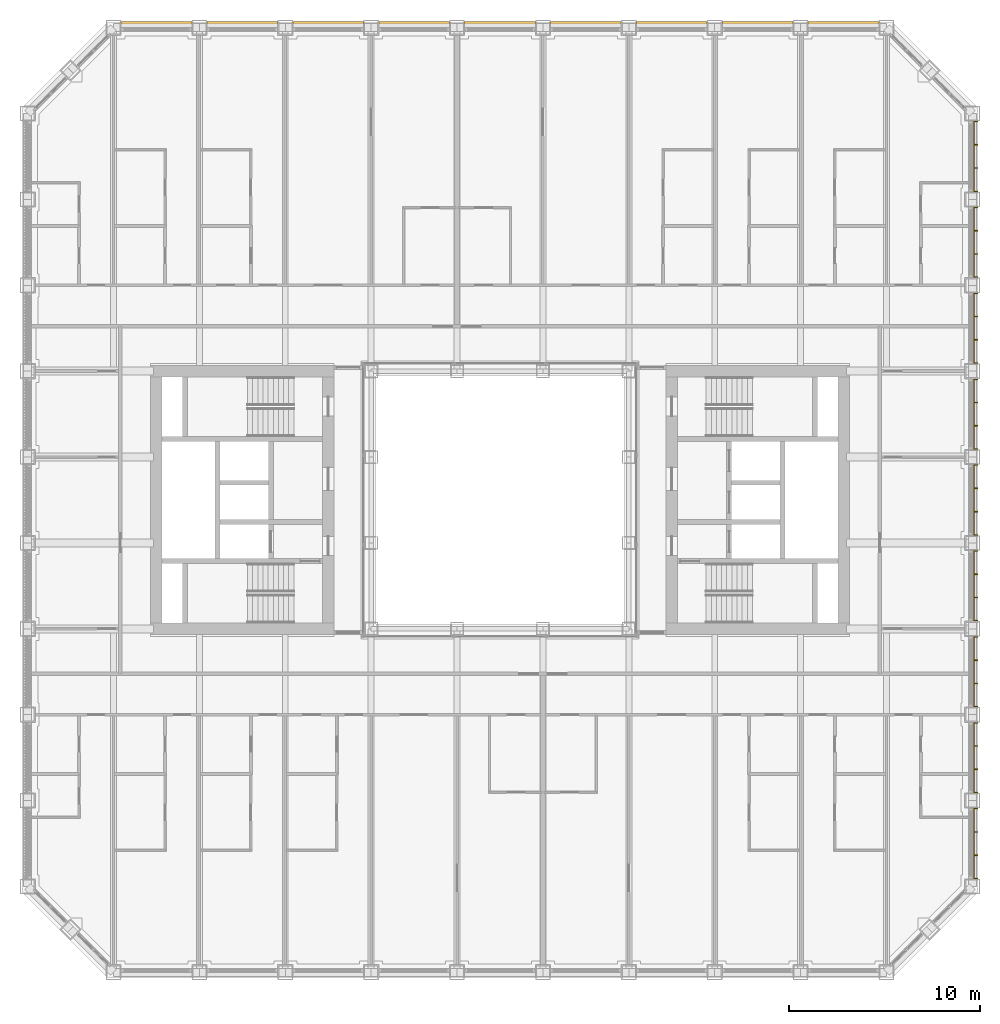
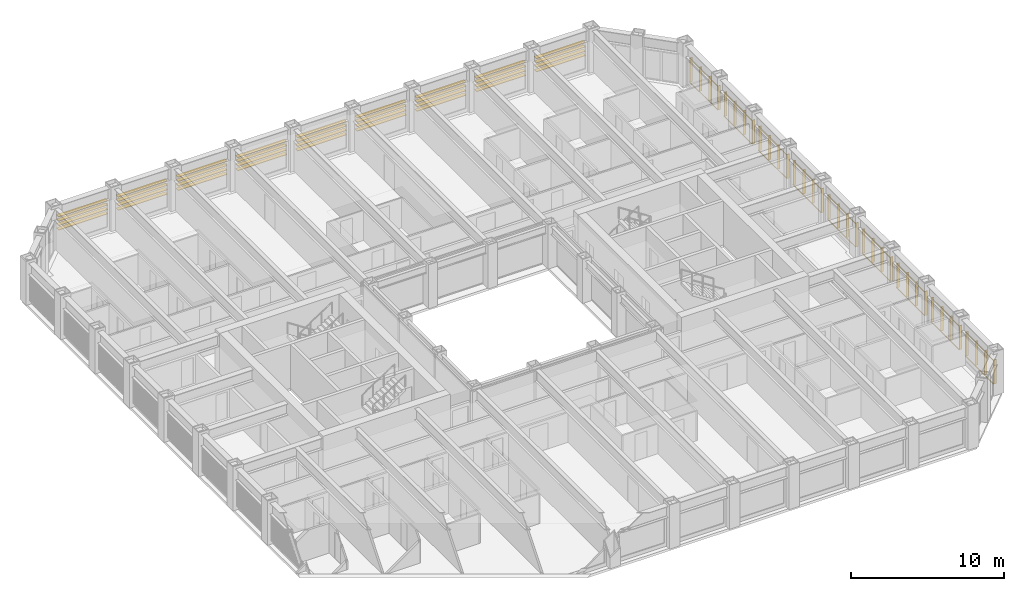
# One storey, part 21 of 21: 2 shading devices.
"""IFC4 building model written with IfcOpenShell, lengths in metres."""

from ifc_helpers import new_model, si_unit, direction, frame, origin, origin_2d, place, context, subcontext, project, spatial, rectangle, extrude, material, type_object, element, save


model = new_model("IFC4")

# Units and contexts
model_context = context("Model", 3, precision=1e-05, world=origin(), true_north=direction((0.0, 1.0)))
body_context = subcontext(model_context, "Body", "Model", "MODEL_VIEW")
ifc_project = project(units=[si_unit("LENGTHUNIT", "METRE"), si_unit("AREAUNIT", "SQUARE_METRE"), si_unit("VOLUMEUNIT", "CUBIC_METRE"), si_unit("PLANEANGLEUNIT", "RADIAN"), si_unit("MASSUNIT", "GRAM", prefix="KILO")], contexts=[model_context])

# Site, building, storey
site_placement = place(None, origin())
site = spatial("IfcSite", under=ifc_project, at=site_placement, CompositionType="ELEMENT")
building_placement = place(site_placement, origin())
building = spatial("IfcBuilding", under=site, at=building_placement, Name="Msasa Ring Tower", CompositionType="ELEMENT")
storey_placement = place(building_placement, frame((0.0, 0.0, 82.5)))
storey = spatial("IfcBuildingStorey", under=building, at=storey_placement, Name="L21", CompositionType="ELEMENT", Elevation=82.5)

# Shading devices
ifc_material_1 = material(Name="Extruded terracotta on aluminium carriers", Category="masonry")
shading_device_type_1 = type_object("IfcShadingDeviceType", Name="BS2 TERRACOTTA FIN SCREEN 40x200 AT 1350", PredefinedType="USERDEFINED", material=ifc_material_1)
shading_device_1_placement = place(storey_placement, origin())
element("IfcShadingDevice", 1, at=shading_device_1_placement, inside=storey, type_object=shading_device_type_1, Name="Terracotta fin screen E L21", ObjectType="BAGUETTE", PredefinedType="USERDEFINED", context=body_context, shape_type="SweptSolid", body=[
    extrude(rectangle(XDim=0.06005859375, YDim=0.0400390625, at=origin_2d()), frame((24.830078125, -19.85009765625, 0.330078125), z_axis=(0.0, 1.0, 0.0), x_axis=(0.0, 0.0, 1.0)), (0.0, 0.0, 1.0), 3.699951171875),
    extrude(rectangle(XDim=0.06005859375, YDim=0.0400390625, at=origin_2d()), frame((24.830078125, -19.85009765625, 2.198974609375), z_axis=(0.0, 1.0, 0.0), x_axis=(0.0, 0.0, 1.0)), (0.0, 0.0, 1.0), 3.699951171875),
    extrude(rectangle(XDim=0.0400390625, YDim=0.199951171875, at=origin_2d()), frame((24.945068359375, -19.830078125, 0.300048828125), z_axis=(0.0, 0.0, 1.0), x_axis=(0.0, 1.0, 0.0)), (0.0, 0.0, 1.0), 1.928955078125),
    extrude(rectangle(XDim=0.0400390625, YDim=0.199951171875, at=origin_2d()), frame((24.945068359375, -18.610107421875, 0.300048828125), z_axis=(0.0, 0.0, 1.0), x_axis=(0.0, 1.0, 0.0)), (0.0, 0.0, 1.0), 1.928955078125),
    extrude(rectangle(XDim=0.0400390625, YDim=0.199951171875, at=origin_2d()), frame((24.945068359375, -17.389892578125, 0.300048828125), z_axis=(0.0, 0.0, 1.0), x_axis=(0.0, 1.0, 0.0)), (0.0, 0.0, 1.0), 1.928955078125),
    extrude(rectangle(XDim=0.0400390625, YDim=0.199951171875, at=origin_2d()), frame((24.945068359375, -16.169921875, 0.300048828125), z_axis=(0.0, 0.0, 1.0), x_axis=(0.0, 1.0, 0.0)), (0.0, 0.0, 1.0), 1.928955078125),
    extrude(rectangle(XDim=0.06005859375, YDim=0.0400390625, at=origin_2d()), frame((24.830078125, -15.35009765625, 0.330078125), z_axis=(0.0, 1.0, 0.0), x_axis=(0.0, 0.0, 1.0)), (0.0, 0.0, 1.0), 3.699951171875),
    extrude(rectangle(XDim=0.06005859375, YDim=0.0400390625, at=origin_2d()), frame((24.830078125, -15.35009765625, 2.198974609375), z_axis=(0.0, 1.0, 0.0), x_axis=(0.0, 0.0, 1.0)), (0.0, 0.0, 1.0), 3.699951171875),
    extrude(rectangle(XDim=0.0400390625, YDim=0.199951171875, at=origin_2d()), frame((24.945068359375, -15.330078125, 0.300048828125), z_axis=(0.0, 0.0, 1.0), x_axis=(0.0, 1.0, 0.0)), (0.0, 0.0, 1.0), 1.928955078125),
    extrude(rectangle(XDim=0.0400390625, YDim=0.199951171875, at=origin_2d()), frame((24.945068359375, -14.110107421875, 0.300048828125), z_axis=(0.0, 0.0, 1.0), x_axis=(0.0, 1.0, 0.0)), (0.0, 0.0, 1.0), 1.928955078125),
    extrude(rectangle(XDim=0.0400390625, YDim=0.199951171875, at=origin_2d()), frame((24.945068359375, -12.889892578125, 0.300048828125), z_axis=(0.0, 0.0, 1.0), x_axis=(0.0, 1.0, 0.0)), (0.0, 0.0, 1.0), 1.928955078125),
    extrude(rectangle(XDim=0.0400390625, YDim=0.199951171875, at=origin_2d()), frame((24.945068359375, -11.669921875, 0.300048828125), z_axis=(0.0, 0.0, 1.0), x_axis=(0.0, 1.0, 0.0)), (0.0, 0.0, 1.0), 1.928955078125),
    extrude(rectangle(XDim=0.06005859375, YDim=0.0400390625, at=origin_2d()), frame((24.830078125, -10.85009765625, 0.330078125), z_axis=(0.0, 1.0, 0.0), x_axis=(0.0, 0.0, 1.0)), (0.0, 0.0, 1.0), 3.699951171875),
    extrude(rectangle(XDim=0.06005859375, YDim=0.0400390625, at=origin_2d()), frame((24.830078125, -10.85009765625, 2.198974609375), z_axis=(0.0, 1.0, 0.0), x_axis=(0.0, 0.0, 1.0)), (0.0, 0.0, 1.0), 3.699951171875),
    extrude(rectangle(XDim=0.0400390625, YDim=0.199951171875, at=origin_2d()), frame((24.945068359375, -10.830078125, 0.300048828125), z_axis=(0.0, 0.0, 1.0), x_axis=(0.0, 1.0, 0.0)), (0.0, 0.0, 1.0), 1.928955078125),
    extrude(rectangle(XDim=0.0400390625, YDim=0.199951171875, at=origin_2d()), frame((24.945068359375, -9.610107421875, 0.300048828125), z_axis=(0.0, 0.0, 1.0), x_axis=(0.0, 1.0, 0.0)), (0.0, 0.0, 1.0), 1.928955078125),
    extrude(rectangle(XDim=0.0400390625, YDim=0.199951171875, at=origin_2d()), frame((24.945068359375, -8.389892578125, 0.300048828125), z_axis=(0.0, 0.0, 1.0), x_axis=(0.0, 1.0, 0.0)), (0.0, 0.0, 1.0), 1.928955078125),
    extrude(rectangle(XDim=0.0400390625, YDim=0.199951171875, at=origin_2d()), frame((24.945068359375, -7.169921875, 0.300048828125), z_axis=(0.0, 0.0, 1.0), x_axis=(0.0, 1.0, 0.0)), (0.0, 0.0, 1.0), 1.928955078125),
    extrude(rectangle(XDim=0.06005859375, YDim=0.0400390625, at=origin_2d()), frame((24.830078125, -6.35009765625, 0.330078125), z_axis=(0.0, 1.0, 0.0), x_axis=(0.0, 0.0, 1.0)), (0.0, 0.0, 1.0), 3.699951171875),
    extrude(rectangle(XDim=0.06005859375, YDim=0.0400390625, at=origin_2d()), frame((24.830078125, -6.35009765625, 2.198974609375), z_axis=(0.0, 1.0, 0.0), x_axis=(0.0, 0.0, 1.0)), (0.0, 0.0, 1.0), 3.699951171875),
    extrude(rectangle(XDim=0.0400390625, YDim=0.199951171875, at=origin_2d()), frame((24.945068359375, -6.330078125, 0.300048828125), z_axis=(0.0, 0.0, 1.0), x_axis=(0.0, 1.0, 0.0)), (0.0, 0.0, 1.0), 1.928955078125),
    extrude(rectangle(XDim=0.0400390625, YDim=0.199951171875, at=origin_2d()), frame((24.945068359375, -5.110107421875, 0.300048828125), z_axis=(0.0, 0.0, 1.0), x_axis=(0.0, 1.0, 0.0)), (0.0, 0.0, 1.0), 1.928955078125),
    extrude(rectangle(XDim=0.0400390625, YDim=0.199951171875, at=origin_2d()), frame((24.945068359375, -3.889892578125, 0.300048828125), z_axis=(0.0, 0.0, 1.0), x_axis=(0.0, 1.0, 0.0)), (0.0, 0.0, 1.0), 1.928955078125),
    extrude(rectangle(XDim=0.0400390625, YDim=0.199951171875, at=origin_2d()), frame((24.945068359375, -2.669921875, 0.300048828125), z_axis=(0.0, 0.0, 1.0), x_axis=(0.0, 1.0, 0.0)), (0.0, 0.0, 1.0), 1.928955078125),
    extrude(rectangle(XDim=0.06005859375, YDim=0.0400390625, at=origin_2d()), frame((24.830078125, -1.85009765625, 0.330078125), z_axis=(0.0, 1.0, 0.0), x_axis=(0.0, 0.0, 1.0)), (0.0, 0.0, 1.0), 3.699951171875),
    extrude(rectangle(XDim=0.06005859375, YDim=0.0400390625, at=origin_2d()), frame((24.830078125, -1.85009765625, 2.198974609375), z_axis=(0.0, 1.0, 0.0), x_axis=(0.0, 0.0, 1.0)), (0.0, 0.0, 1.0), 3.699951171875),
    extrude(rectangle(XDim=0.0400390625, YDim=0.199951171875, at=origin_2d()), frame((24.945068359375, -1.830078125, 0.300048828125), z_axis=(0.0, 0.0, 1.0), x_axis=(0.0, 1.0, 0.0)), (0.0, 0.0, 1.0), 1.928955078125),
    extrude(rectangle(XDim=0.0400390625, YDim=0.199951171875, at=origin_2d()), frame((24.945068359375, -0.610107421875, 0.300048828125), z_axis=(0.0, 0.0, 1.0), x_axis=(0.0, 1.0, 0.0)), (0.0, 0.0, 1.0), 1.928955078125),
    extrude(rectangle(XDim=0.0400390625, YDim=0.199951171875, at=origin_2d()), frame((24.945068359375, 0.610107421875, 0.300048828125), z_axis=(0.0, 0.0, 1.0), x_axis=(0.0, 1.0, 0.0)), (0.0, 0.0, 1.0), 1.928955078125),
    extrude(rectangle(XDim=0.0400390625, YDim=0.199951171875, at=origin_2d()), frame((24.945068359375, 1.830078125, 0.300048828125), z_axis=(0.0, 0.0, 1.0), x_axis=(0.0, 1.0, 0.0)), (0.0, 0.0, 1.0), 1.928955078125),
    extrude(rectangle(XDim=0.06005859375, YDim=0.0400390625, at=origin_2d()), frame((24.830078125, 2.64990234375, 0.330078125), z_axis=(0.0, 1.0, 0.0), x_axis=(0.0, 0.0, 1.0)), (0.0, 0.0, 1.0), 3.699951171875),
    extrude(rectangle(XDim=0.06005859375, YDim=0.0400390625, at=origin_2d()), frame((24.830078125, 2.64990234375, 2.198974609375), z_axis=(0.0, 1.0, 0.0), x_axis=(0.0, 0.0, 1.0)), (0.0, 0.0, 1.0), 3.699951171875),
    extrude(rectangle(XDim=0.0400390625, YDim=0.199951171875, at=origin_2d()), frame((24.945068359375, 2.669921875, 0.300048828125), z_axis=(0.0, 0.0, 1.0), x_axis=(0.0, 1.0, 0.0)), (0.0, 0.0, 1.0), 1.928955078125),
    extrude(rectangle(XDim=0.0400390625, YDim=0.199951171875, at=origin_2d()), frame((24.945068359375, 3.889892578125, 0.300048828125), z_axis=(0.0, 0.0, 1.0), x_axis=(0.0, 1.0, 0.0)), (0.0, 0.0, 1.0), 1.928955078125),
    extrude(rectangle(XDim=0.0400390625, YDim=0.199951171875, at=origin_2d()), frame((24.945068359375, 5.110107421875, 0.300048828125), z_axis=(0.0, 0.0, 1.0), x_axis=(0.0, 1.0, 0.0)), (0.0, 0.0, 1.0), 1.928955078125),
    extrude(rectangle(XDim=0.0400390625, YDim=0.199951171875, at=origin_2d()), frame((24.945068359375, 6.330078125, 0.300048828125), z_axis=(0.0, 0.0, 1.0), x_axis=(0.0, 1.0, 0.0)), (0.0, 0.0, 1.0), 1.928955078125),
    extrude(rectangle(XDim=0.06005859375, YDim=0.0400390625, at=origin_2d()), frame((24.830078125, 7.14990234375, 0.330078125), z_axis=(0.0, 1.0, 0.0), x_axis=(0.0, 0.0, 1.0)), (0.0, 0.0, 1.0), 3.699951171875),
    extrude(rectangle(XDim=0.06005859375, YDim=0.0400390625, at=origin_2d()), frame((24.830078125, 7.14990234375, 2.198974609375), z_axis=(0.0, 1.0, 0.0), x_axis=(0.0, 0.0, 1.0)), (0.0, 0.0, 1.0), 3.699951171875),
    extrude(rectangle(XDim=0.0400390625, YDim=0.199951171875, at=origin_2d()), frame((24.945068359375, 7.169921875, 0.300048828125), z_axis=(0.0, 0.0, 1.0), x_axis=(0.0, 1.0, 0.0)), (0.0, 0.0, 1.0), 1.928955078125),
    extrude(rectangle(XDim=0.0400390625, YDim=0.199951171875, at=origin_2d()), frame((24.945068359375, 8.389892578125, 0.300048828125), z_axis=(0.0, 0.0, 1.0), x_axis=(0.0, 1.0, 0.0)), (0.0, 0.0, 1.0), 1.928955078125),
    extrude(rectangle(XDim=0.0400390625, YDim=0.199951171875, at=origin_2d()), frame((24.945068359375, 9.610107421875, 0.300048828125), z_axis=(0.0, 0.0, 1.0), x_axis=(0.0, 1.0, 0.0)), (0.0, 0.0, 1.0), 1.928955078125),
    extrude(rectangle(XDim=0.0400390625, YDim=0.199951171875, at=origin_2d()), frame((24.945068359375, 10.830078125, 0.300048828125), z_axis=(0.0, 0.0, 1.0), x_axis=(0.0, 1.0, 0.0)), (0.0, 0.0, 1.0), 1.928955078125),
    extrude(rectangle(XDim=0.06005859375, YDim=0.0400390625, at=origin_2d()), frame((24.830078125, 11.64990234375, 0.330078125), z_axis=(0.0, 1.0, 0.0), x_axis=(0.0, 0.0, 1.0)), (0.0, 0.0, 1.0), 3.699951171875),
    extrude(rectangle(XDim=0.06005859375, YDim=0.0400390625, at=origin_2d()), frame((24.830078125, 11.64990234375, 2.198974609375), z_axis=(0.0, 1.0, 0.0), x_axis=(0.0, 0.0, 1.0)), (0.0, 0.0, 1.0), 3.699951171875),
    extrude(rectangle(XDim=0.0400390625, YDim=0.199951171875, at=origin_2d()), frame((24.945068359375, 11.669921875, 0.300048828125), z_axis=(0.0, 0.0, 1.0), x_axis=(0.0, 1.0, 0.0)), (0.0, 0.0, 1.0), 1.928955078125),
    extrude(rectangle(XDim=0.0400390625, YDim=0.199951171875, at=origin_2d()), frame((24.945068359375, 12.889892578125, 0.300048828125), z_axis=(0.0, 0.0, 1.0), x_axis=(0.0, 1.0, 0.0)), (0.0, 0.0, 1.0), 1.928955078125),
    extrude(rectangle(XDim=0.0400390625, YDim=0.199951171875, at=origin_2d()), frame((24.945068359375, 14.110107421875, 0.300048828125), z_axis=(0.0, 0.0, 1.0), x_axis=(0.0, 1.0, 0.0)), (0.0, 0.0, 1.0), 1.928955078125),
    extrude(rectangle(XDim=0.0400390625, YDim=0.199951171875, at=origin_2d()), frame((24.945068359375, 15.330078125, 0.300048828125), z_axis=(0.0, 0.0, 1.0), x_axis=(0.0, 1.0, 0.0)), (0.0, 0.0, 1.0), 1.928955078125),
    extrude(rectangle(XDim=0.06005859375, YDim=0.0400390625, at=origin_2d()), frame((24.830078125, 16.14990234375, 0.330078125), z_axis=(0.0, 1.0, 0.0), x_axis=(0.0, 0.0, 1.0)), (0.0, 0.0, 1.0), 3.699951171875),
    extrude(rectangle(XDim=0.06005859375, YDim=0.0400390625, at=origin_2d()), frame((24.830078125, 16.14990234375, 2.198974609375), z_axis=(0.0, 1.0, 0.0), x_axis=(0.0, 0.0, 1.0)), (0.0, 0.0, 1.0), 3.699951171875),
    extrude(rectangle(XDim=0.0400390625, YDim=0.199951171875, at=origin_2d()), frame((24.945068359375, 16.169921875, 0.300048828125), z_axis=(0.0, 0.0, 1.0), x_axis=(0.0, 1.0, 0.0)), (0.0, 0.0, 1.0), 1.928955078125),
    extrude(rectangle(XDim=0.0400390625, YDim=0.199951171875, at=origin_2d()), frame((24.945068359375, 17.389892578125, 0.300048828125), z_axis=(0.0, 0.0, 1.0), x_axis=(0.0, 1.0, 0.0)), (0.0, 0.0, 1.0), 1.928955078125),
    extrude(rectangle(XDim=0.0400390625, YDim=0.199951171875, at=origin_2d()), frame((24.945068359375, 18.610107421875, 0.300048828125), z_axis=(0.0, 0.0, 1.0), x_axis=(0.0, 1.0, 0.0)), (0.0, 0.0, 1.0), 1.928955078125),
    extrude(rectangle(XDim=0.0400390625, YDim=0.199951171875, at=origin_2d()), frame((24.945068359375, 19.830078125, 0.300048828125), z_axis=(0.0, 0.0, 1.0), x_axis=(0.0, 1.0, 0.0)), (0.0, 0.0, 1.0), 1.928955078125),
])
ifc_material_2 = material(Name="Extruded terracotta blades", Category="masonry")
shading_device_type_2 = type_object("IfcShadingDeviceType", Name="SS1 TERRACOTTA SUNSHADE 4 BLADES 300x40 AT 350", PredefinedType="USERDEFINED", material=ifc_material_2)
shading_device_2_placement = place(storey_placement, origin())
element("IfcShadingDevice", 2, at=shading_device_2_placement, inside=storey, type_object=shading_device_type_2, Name="Terracotta sunshade N L21", ObjectType="SUNSHADE", PredefinedType="USERDEFINED", context=body_context, shape_type="SweptSolid", body=[
    extrude(rectangle(XDim=0.0400390625, YDim=0.300048828125, at=origin_2d()), frame((-19.85009765625, 24.929931640625, 2.208984375), z_axis=(1.0, 0.0, 0.0), x_axis=(0.0, 0.0, 1.0)), (0.0, 0.0, 1.0), 3.699951171875),
    extrude(rectangle(XDim=0.0400390625, YDim=0.300048828125, at=origin_2d()), frame((-19.85009765625, 24.929931640625, 1.85888671875), z_axis=(1.0, 0.0, 0.0), x_axis=(0.0, 0.0, 1.0)), (0.0, 0.0, 1.0), 3.699951171875),
    extrude(rectangle(XDim=0.0400390625, YDim=0.300048828125, at=origin_2d()), frame((-19.85009765625, 24.929931640625, 1.509033203125), z_axis=(1.0, 0.0, 0.0), x_axis=(0.0, 0.0, 1.0)), (0.0, 0.0, 1.0), 3.699951171875),
    extrude(rectangle(XDim=0.0400390625, YDim=0.300048828125, at=origin_2d()), frame((-19.85009765625, 24.929931640625, 1.158935546875), z_axis=(1.0, 0.0, 0.0), x_axis=(0.0, 0.0, 1.0)), (0.0, 0.0, 1.0), 3.699951171875),
    extrude(rectangle(XDim=0.0400390625, YDim=0.300048828125, at=origin_2d()), frame((-15.35009765625, 24.929931640625, 2.208984375), z_axis=(1.0, 0.0, 0.0), x_axis=(0.0, 0.0, 1.0)), (0.0, 0.0, 1.0), 3.699951171875),
    extrude(rectangle(XDim=0.0400390625, YDim=0.300048828125, at=origin_2d()), frame((-15.35009765625, 24.929931640625, 1.85888671875), z_axis=(1.0, 0.0, 0.0), x_axis=(0.0, 0.0, 1.0)), (0.0, 0.0, 1.0), 3.699951171875),
    extrude(rectangle(XDim=0.0400390625, YDim=0.300048828125, at=origin_2d()), frame((-15.35009765625, 24.929931640625, 1.509033203125), z_axis=(1.0, 0.0, 0.0), x_axis=(0.0, 0.0, 1.0)), (0.0, 0.0, 1.0), 3.699951171875),
    extrude(rectangle(XDim=0.0400390625, YDim=0.300048828125, at=origin_2d()), frame((-15.35009765625, 24.929931640625, 1.158935546875), z_axis=(1.0, 0.0, 0.0), x_axis=(0.0, 0.0, 1.0)), (0.0, 0.0, 1.0), 3.699951171875),
    extrude(rectangle(XDim=0.0400390625, YDim=0.300048828125, at=origin_2d()), frame((-10.85009765625, 24.929931640625, 2.208984375), z_axis=(1.0, 0.0, 0.0), x_axis=(0.0, 0.0, 1.0)), (0.0, 0.0, 1.0), 3.699951171875),
    extrude(rectangle(XDim=0.0400390625, YDim=0.300048828125, at=origin_2d()), frame((-10.85009765625, 24.929931640625, 1.85888671875), z_axis=(1.0, 0.0, 0.0), x_axis=(0.0, 0.0, 1.0)), (0.0, 0.0, 1.0), 3.699951171875),
    extrude(rectangle(XDim=0.0400390625, YDim=0.300048828125, at=origin_2d()), frame((-10.85009765625, 24.929931640625, 1.509033203125), z_axis=(1.0, 0.0, 0.0), x_axis=(0.0, 0.0, 1.0)), (0.0, 0.0, 1.0), 3.699951171875),
    extrude(rectangle(XDim=0.0400390625, YDim=0.300048828125, at=origin_2d()), frame((-10.85009765625, 24.929931640625, 1.158935546875), z_axis=(1.0, 0.0, 0.0), x_axis=(0.0, 0.0, 1.0)), (0.0, 0.0, 1.0), 3.699951171875),
    extrude(rectangle(XDim=0.0400390625, YDim=0.300048828125, at=origin_2d()), frame((-6.35009765625, 24.929931640625, 2.208984375), z_axis=(1.0, 0.0, 0.0), x_axis=(0.0, 0.0, 1.0)), (0.0, 0.0, 1.0), 3.699951171875),
    extrude(rectangle(XDim=0.0400390625, YDim=0.300048828125, at=origin_2d()), frame((-6.35009765625, 24.929931640625, 1.85888671875), z_axis=(1.0, 0.0, 0.0), x_axis=(0.0, 0.0, 1.0)), (0.0, 0.0, 1.0), 3.699951171875),
    extrude(rectangle(XDim=0.0400390625, YDim=0.300048828125, at=origin_2d()), frame((-6.35009765625, 24.929931640625, 1.509033203125), z_axis=(1.0, 0.0, 0.0), x_axis=(0.0, 0.0, 1.0)), (0.0, 0.0, 1.0), 3.699951171875),
    extrude(rectangle(XDim=0.0400390625, YDim=0.300048828125, at=origin_2d()), frame((-6.35009765625, 24.929931640625, 1.158935546875), z_axis=(1.0, 0.0, 0.0), x_axis=(0.0, 0.0, 1.0)), (0.0, 0.0, 1.0), 3.699951171875),
    extrude(rectangle(XDim=0.0400390625, YDim=0.300048828125, at=origin_2d()), frame((-1.85009765625, 24.929931640625, 2.208984375), z_axis=(1.0, 0.0, 0.0), x_axis=(0.0, 0.0, 1.0)), (0.0, 0.0, 1.0), 3.699951171875),
    extrude(rectangle(XDim=0.0400390625, YDim=0.300048828125, at=origin_2d()), frame((-1.85009765625, 24.929931640625, 1.85888671875), z_axis=(1.0, 0.0, 0.0), x_axis=(0.0, 0.0, 1.0)), (0.0, 0.0, 1.0), 3.699951171875),
    extrude(rectangle(XDim=0.0400390625, YDim=0.300048828125, at=origin_2d()), frame((-1.85009765625, 24.929931640625, 1.509033203125), z_axis=(1.0, 0.0, 0.0), x_axis=(0.0, 0.0, 1.0)), (0.0, 0.0, 1.0), 3.699951171875),
    extrude(rectangle(XDim=0.0400390625, YDim=0.300048828125, at=origin_2d()), frame((-1.85009765625, 24.929931640625, 1.158935546875), z_axis=(1.0, 0.0, 0.0), x_axis=(0.0, 0.0, 1.0)), (0.0, 0.0, 1.0), 3.699951171875),
    extrude(rectangle(XDim=0.0400390625, YDim=0.300048828125, at=origin_2d()), frame((2.64990234375, 24.929931640625, 2.208984375), z_axis=(1.0, 0.0, 0.0), x_axis=(0.0, 0.0, 1.0)), (0.0, 0.0, 1.0), 3.699951171875),
    extrude(rectangle(XDim=0.0400390625, YDim=0.300048828125, at=origin_2d()), frame((2.64990234375, 24.929931640625, 1.85888671875), z_axis=(1.0, 0.0, 0.0), x_axis=(0.0, 0.0, 1.0)), (0.0, 0.0, 1.0), 3.699951171875),
    extrude(rectangle(XDim=0.0400390625, YDim=0.300048828125, at=origin_2d()), frame((2.64990234375, 24.929931640625, 1.509033203125), z_axis=(1.0, 0.0, 0.0), x_axis=(0.0, 0.0, 1.0)), (0.0, 0.0, 1.0), 3.699951171875),
    extrude(rectangle(XDim=0.0400390625, YDim=0.300048828125, at=origin_2d()), frame((2.64990234375, 24.929931640625, 1.158935546875), z_axis=(1.0, 0.0, 0.0), x_axis=(0.0, 0.0, 1.0)), (0.0, 0.0, 1.0), 3.699951171875),
    extrude(rectangle(XDim=0.0400390625, YDim=0.300048828125, at=origin_2d()), frame((7.14990234375, 24.929931640625, 2.208984375), z_axis=(1.0, 0.0, 0.0), x_axis=(0.0, 0.0, 1.0)), (0.0, 0.0, 1.0), 3.699951171875),
    extrude(rectangle(XDim=0.0400390625, YDim=0.300048828125, at=origin_2d()), frame((7.14990234375, 24.929931640625, 1.85888671875), z_axis=(1.0, 0.0, 0.0), x_axis=(0.0, 0.0, 1.0)), (0.0, 0.0, 1.0), 3.699951171875),
    extrude(rectangle(XDim=0.0400390625, YDim=0.300048828125, at=origin_2d()), frame((7.14990234375, 24.929931640625, 1.509033203125), z_axis=(1.0, 0.0, 0.0), x_axis=(0.0, 0.0, 1.0)), (0.0, 0.0, 1.0), 3.699951171875),
    extrude(rectangle(XDim=0.0400390625, YDim=0.300048828125, at=origin_2d()), frame((7.14990234375, 24.929931640625, 1.158935546875), z_axis=(1.0, 0.0, 0.0), x_axis=(0.0, 0.0, 1.0)), (0.0, 0.0, 1.0), 3.699951171875),
    extrude(rectangle(XDim=0.0400390625, YDim=0.300048828125, at=origin_2d()), frame((11.64990234375, 24.929931640625, 2.208984375), z_axis=(1.0, 0.0, 0.0), x_axis=(0.0, 0.0, 1.0)), (0.0, 0.0, 1.0), 3.699951171875),
    extrude(rectangle(XDim=0.0400390625, YDim=0.300048828125, at=origin_2d()), frame((11.64990234375, 24.929931640625, 1.85888671875), z_axis=(1.0, 0.0, 0.0), x_axis=(0.0, 0.0, 1.0)), (0.0, 0.0, 1.0), 3.699951171875),
    extrude(rectangle(XDim=0.0400390625, YDim=0.300048828125, at=origin_2d()), frame((11.64990234375, 24.929931640625, 1.509033203125), z_axis=(1.0, 0.0, 0.0), x_axis=(0.0, 0.0, 1.0)), (0.0, 0.0, 1.0), 3.699951171875),
    extrude(rectangle(XDim=0.0400390625, YDim=0.300048828125, at=origin_2d()), frame((11.64990234375, 24.929931640625, 1.158935546875), z_axis=(1.0, 0.0, 0.0), x_axis=(0.0, 0.0, 1.0)), (0.0, 0.0, 1.0), 3.699951171875),
    extrude(rectangle(XDim=0.0400390625, YDim=0.300048828125, at=origin_2d()), frame((16.14990234375, 24.929931640625, 2.208984375), z_axis=(1.0, 0.0, 0.0), x_axis=(0.0, 0.0, 1.0)), (0.0, 0.0, 1.0), 3.699951171875),
    extrude(rectangle(XDim=0.0400390625, YDim=0.300048828125, at=origin_2d()), frame((16.14990234375, 24.929931640625, 1.85888671875), z_axis=(1.0, 0.0, 0.0), x_axis=(0.0, 0.0, 1.0)), (0.0, 0.0, 1.0), 3.699951171875),
    extrude(rectangle(XDim=0.0400390625, YDim=0.300048828125, at=origin_2d()), frame((16.14990234375, 24.929931640625, 1.509033203125), z_axis=(1.0, 0.0, 0.0), x_axis=(0.0, 0.0, 1.0)), (0.0, 0.0, 1.0), 3.699951171875),
    extrude(rectangle(XDim=0.0400390625, YDim=0.300048828125, at=origin_2d()), frame((16.14990234375, 24.929931640625, 1.158935546875), z_axis=(1.0, 0.0, 0.0), x_axis=(0.0, 0.0, 1.0)), (0.0, 0.0, 1.0), 3.699951171875),
])

save(model, "model.ifc")
